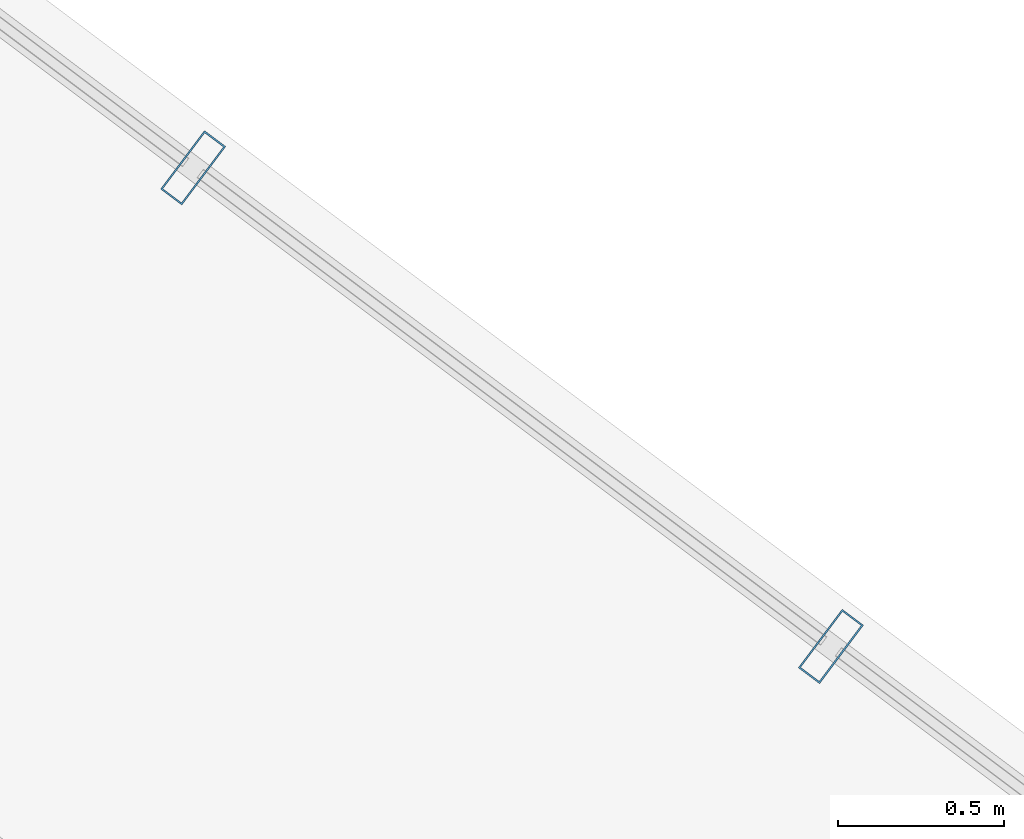
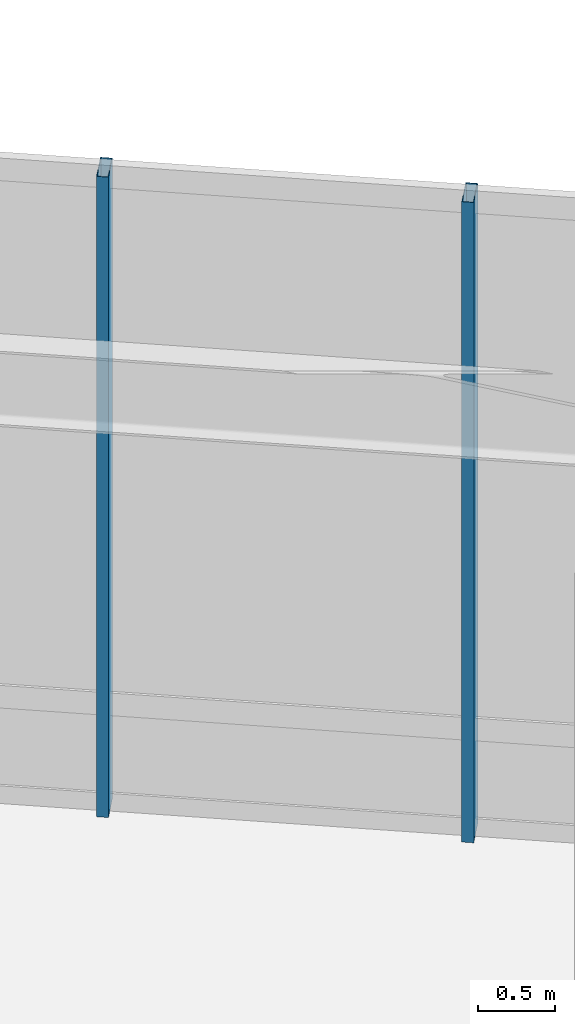
# One storey, part 9 of 35: 2 members, 1 element without a shape of its own.
"""IFC4 building model written with IfcOpenShell, lengths in metres."""

from ifc_helpers import new_model, si_unit, direction, frame, origin, origin_2d, place, context, subcontext, project, spatial, hollow_rectangle, extrude, material, layer, layer_set, material_profile, profile_set, type_object, element, aggregate, save


model = new_model("IFC4")

# Units and contexts
model_context = context("Model", 3, precision=1e-05, world=origin(), true_north=direction((0.0, 1.0)))
body_context = subcontext(model_context, "Body", "Model", "MODEL_VIEW")
ifc_project = project(units=[si_unit("LENGTHUNIT", "METRE"), si_unit("AREAUNIT", "SQUARE_METRE"), si_unit("VOLUMEUNIT", "CUBIC_METRE"), si_unit("PLANEANGLEUNIT", "RADIAN"), si_unit("MASSUNIT", "GRAM", prefix="KILO")], contexts=[model_context])

# Site, building, storey
site_placement = place(None, origin())
site = spatial("IfcSite", under=ifc_project, at=site_placement, CompositionType="ELEMENT")
building_placement = place(site_placement, origin())
building = spatial("IfcBuilding", under=site, at=building_placement, Name="Hatsunagi Terrace Concourse", CompositionType="ELEMENT")
storey_placement = place(building_placement, frame((0.0, 0.0, 16.199951171875)))
storey = spatial("IfcBuildingStorey", under=building, at=storey_placement, Name="L04", CompositionType="ELEMENT", Elevation=16.199951171875)

# Curtain wall, members
ifc_material_1 = material(Name="Anodised Aluminium Alloy 6063-T5", Category="aluminium")
ifc_layer = layer(ifc_material_1, 0.199951171875)
ifc_layer_set = layer_set([ifc_layer], Name="PodiumStorefront_CW01")
curtain_wall_type = type_object("IfcCurtainWallType", Name="PodiumStorefront_CW01", PredefinedType="NOTDEFINED", material=ifc_layer_set)
curtain_wall_placement = place(storey_placement, origin())
curtain_wall = element("IfcCurtainWall", 1, at=curtain_wall_placement, inside=storey, type_object=curtain_wall_type, Name="Unitised Curtain Wall CW-01 CW-L04-01", PredefinedType="NOTDEFINED")
ifc_material_2 = material(Name="Anodised Aluminium Alloy 6063-T5", Category="aluminium")
ifc_material_profile = material_profile(ifc_material_2, hollow_rectangle(XDim=0.080078125, YDim=0.219970703125, WallThickness=0.0048828125, at=origin_2d()), Name="ALU-MUL-220x80x5")
ifc_profile_set = profile_set([ifc_material_profile], Name="Anodised Aluminium Alloy 6063-T5")
member_type = type_object("IfcMemberType", Name="CurtainWallMullion_Heavy_220x80", PredefinedType="MULLION", material=ifc_profile_set)
member_1_placement = place(storey_placement, frame((56.385009765625, 32.0869140625, 0.0), z_axis=(0.0, 0.0, 1.0), x_axis=(0.800007305671, -0.599990258982, 0.0)))
member_1 = element("IfcMember", 2, at=member_1_placement, type_object=member_type, Name="Curtain Wall Mullion MUL-01", PredefinedType="MULLION", context=body_context, shape_type="SweptSolid", body=[
    extrude(hollow_rectangle(XDim=0.080078125, YDim=0.219970703125, WallThickness=0.0048828125, at=origin_2d()), origin(), (0.0, 0.0, 1.0), 5.10009765625),
])
member_2_placement = place(storey_placement, frame((58.304931640625, 30.64599609375, 0.0), z_axis=(0.0, 0.0, 1.0), x_axis=(0.800007305671, -0.599990258982, 0.0)))
member_2 = element("IfcMember", 3, at=member_2_placement, type_object=member_type, Name="Curtain Wall Mullion MUL-01", PredefinedType="MULLION", context=body_context, shape_type="SweptSolid", body=[
    extrude(hollow_rectangle(XDim=0.080078125, YDim=0.219970703125, WallThickness=0.0048828125, at=origin_2d()), origin(), (0.0, 0.0, 1.0), 5.10009765625),
])
aggregate(curtain_wall, [member_1, member_2])

save(model, "model.ifc")
